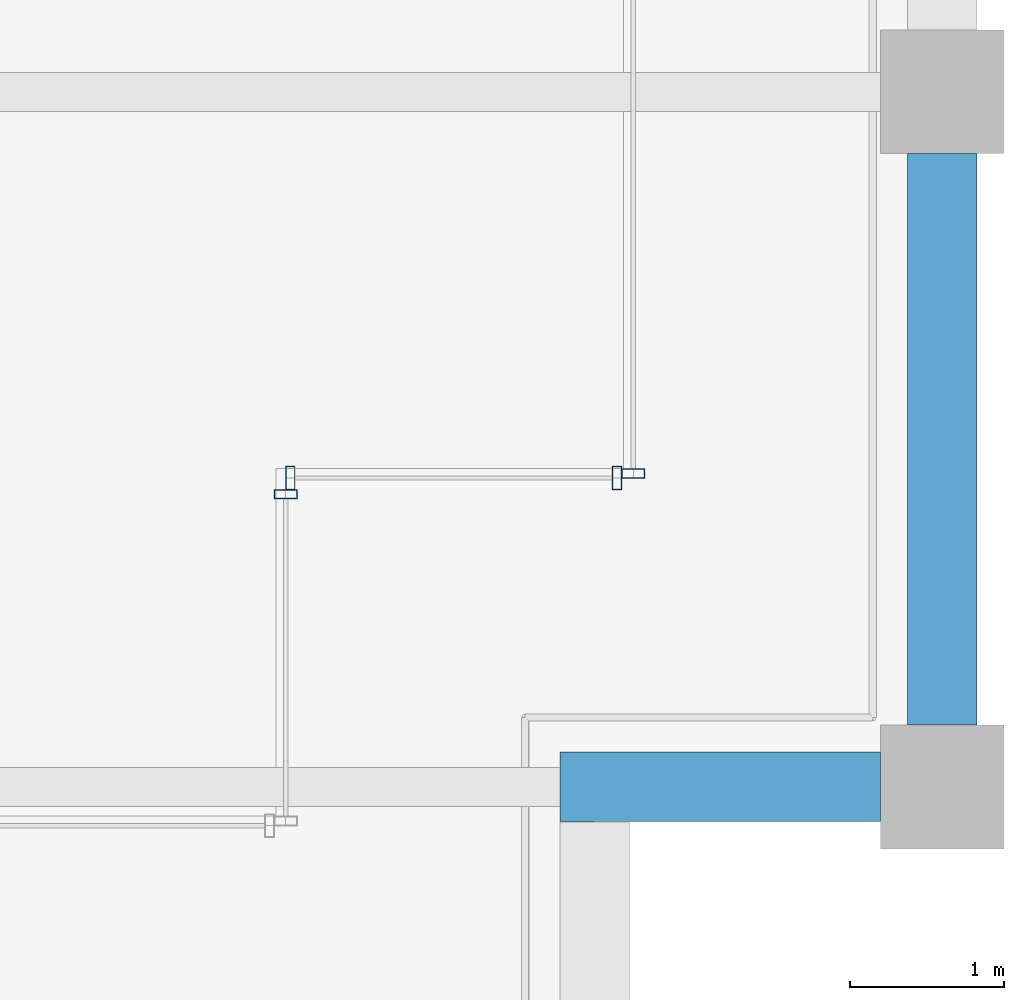
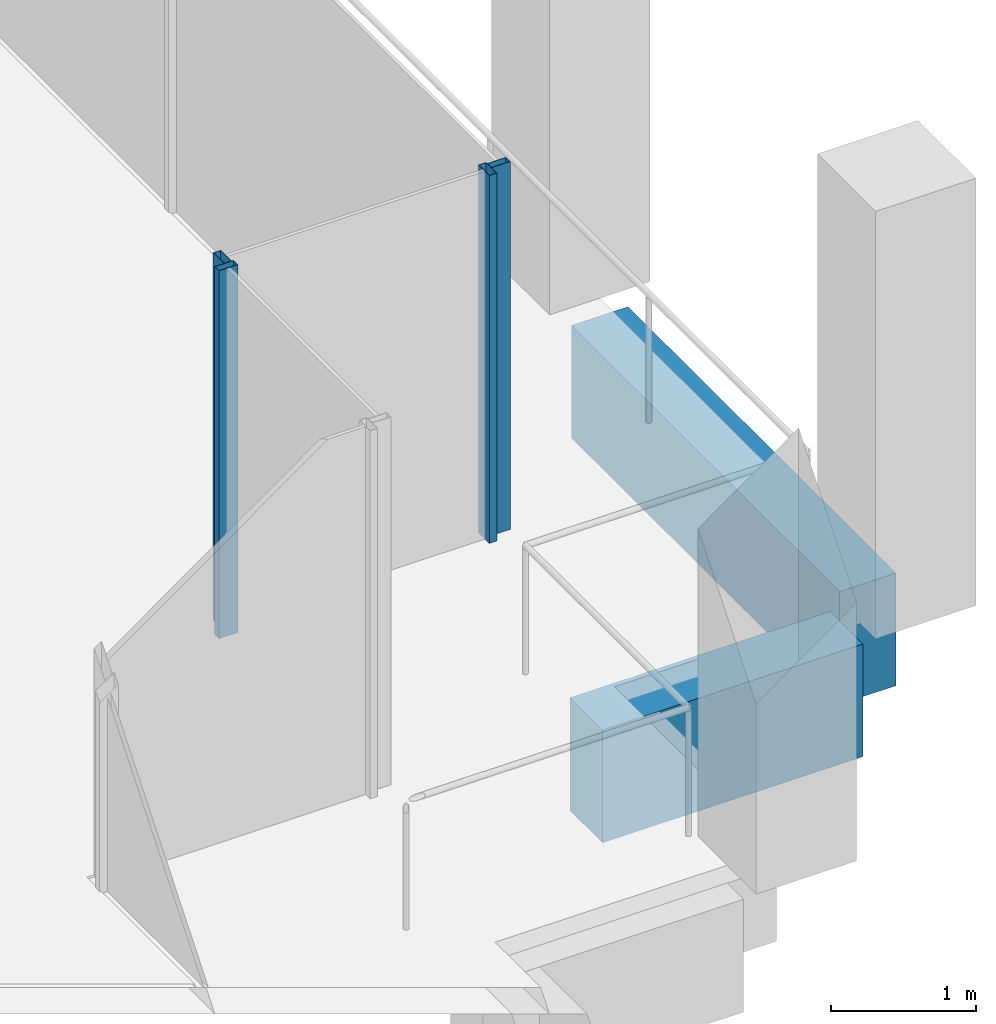
# One storey, part 13 of 30: 4 members, 2 beams, 3 elements without a shape of their own.
"""IFC4 building model written with IfcOpenShell, lengths in metres."""

from ifc_helpers import new_model, si_unit, direction, frame, origin, origin_2d, place, context, subcontext, project, spatial, rectangle, hollow_rectangle, extrude, material, material_profile, profile_set, type_object, element, aggregate, save


model = new_model("IFC4")

# Units and contexts
model_context = context("Model", 3, precision=1e-05, world=origin(), true_north=direction((0.0, 1.0)))
body_context = subcontext(model_context, "Body", "Model", "MODEL_VIEW")
ifc_project = project(units=[si_unit("LENGTHUNIT", "METRE"), si_unit("AREAUNIT", "SQUARE_METRE"), si_unit("VOLUMEUNIT", "CUBIC_METRE"), si_unit("PLANEANGLEUNIT", "RADIAN"), si_unit("MASSUNIT", "GRAM", prefix="KILO")], contexts=[model_context])

# Site, building, storey
site_placement = place(None, origin())
site = spatial("IfcSite", under=ifc_project, at=site_placement, CompositionType="ELEMENT")
building_placement = place(site_placement, origin())
building = spatial("IfcBuilding", under=site, at=building_placement, Name="Altepetl Exchange Towers", CompositionType="ELEMENT")
storey_placement = place(building_placement, frame((0.0, 0.0, 235.199951171875)))
storey = spatial("IfcBuildingStorey", under=building, at=storey_placement, Name="L60", CompositionType="ELEMENT", Elevation=235.199951171875)

# Curtain wall, member
ifc_material_1 = material(Name="Aluminium 6063-T6 glazing", Category="aluminium")
curtain_wall_type = type_object("IfcCurtainWallType", Name="Loggia glazing system", PredefinedType="NOTDEFINED", material=ifc_material_1)
curtain_wall_1_placement = place(storey_placement, origin())
curtain_wall_1 = element("IfcCurtainWall", 1, at=curtain_wall_1_placement, inside=storey, type_object=curtain_wall_type, Name="CW1 run", PredefinedType="NOTDEFINED")
ifc_material_2 = material(Name="Aluminium 6063-T6", Category="aluminium")
ifc_material_profile_1 = material_profile(ifc_material_2, hollow_rectangle(XDim=0.06005859375, YDim=0.14990234375, WallThickness=0.0029296875, at=origin_2d()), Name="Mullion 60x150 aluminium")
ifc_profile_set_1 = profile_set([ifc_material_profile_1], Name="Aluminium 6063-T6")
member_type = type_object("IfcMemberType", Name="Mullion 60x150 aluminium", PredefinedType="MULLION", material=ifc_profile_set_1)
member_1_placement = place(storey_placement, frame((67.75, 33.39501953125, 0.0), z_axis=(0.0, 0.0, 1.0), x_axis=(0.0, 1.0, 0.0)))
member_1 = element("IfcMember", 2, at=member_1_placement, type_object=member_type, Name="MU1 mullion", PredefinedType="MULLION", context=body_context, shape_type="SweptSolid", body=[
    extrude(hollow_rectangle(XDim=0.06005859375, YDim=0.14990234375, WallThickness=0.0029296875, at=origin_2d()), origin(), (0.0, 0.0, 1.0), 3.10009765625),
])
aggregate(curtain_wall_1, [member_1])

# Curtain wall, members
curtain_wall_2_placement = place(storey_placement, origin())
curtain_wall_2 = element("IfcCurtainWall", 3, at=curtain_wall_2_placement, inside=storey, type_object=curtain_wall_type, Name="CW1 run", PredefinedType="NOTDEFINED")
member_2_placement = place(storey_placement, frame((67.780029296875, 33.5, 0.0)))
member_2 = element("IfcMember", 4, at=member_2_placement, type_object=member_type, Name="MU1 mullion", PredefinedType="MULLION", context=body_context, shape_type="SweptSolid", body=[
    extrude(hollow_rectangle(XDim=0.06005859375, YDim=0.14990234375, WallThickness=0.0029296875, at=origin_2d()), origin(), (0.0, 0.0, 1.0), 3.10009765625),
])
member_3_placement = place(storey_placement, frame((69.89501953125, 33.5, 0.0)))
member_3 = element("IfcMember", 5, at=member_3_placement, type_object=member_type, Name="MU1 mullion", PredefinedType="MULLION", context=body_context, shape_type="SweptSolid", body=[
    extrude(hollow_rectangle(XDim=0.06005859375, YDim=0.14990234375, WallThickness=0.0029296875, at=origin_2d()), origin(), (0.0, 0.0, 1.0), 3.10009765625),
])
aggregate(curtain_wall_2, [member_2, member_3])

# Curtain wall, member
curtain_wall_3_placement = place(storey_placement, origin())
curtain_wall_3 = element("IfcCurtainWall", 6, at=curtain_wall_3_placement, inside=storey, type_object=curtain_wall_type, Name="CW1 run", PredefinedType="NOTDEFINED")
member_4_placement = place(storey_placement, frame((70.0, 33.530029296875, 0.0), z_axis=(0.0, 0.0, 1.0), x_axis=(0.0, 1.0, 0.0)))
member_4 = element("IfcMember", 7, at=member_4_placement, type_object=member_type, Name="MU1 mullion", PredefinedType="MULLION", context=body_context, shape_type="SweptSolid", body=[
    extrude(hollow_rectangle(XDim=0.06005859375, YDim=0.14990234375, WallThickness=0.0029296875, at=origin_2d()), origin(), (0.0, 0.0, 1.0), 3.10009765625),
])
aggregate(curtain_wall_3, [member_4])

# Beams
ifc_material_3 = material(Name="Concrete C50/60 precast with cantera amarilla facing", Category="concrete")
ifc_material_profile_2 = material_profile(ifc_material_3, rectangle(XDim=0.449951171875, YDim=0.949951171875, at=origin_2d()), Name="450 x 950")
ifc_profile_set_2 = profile_set([ifc_material_profile_2], Name="Concrete C50/60 precast with cantera amarilla facing")
beam_type = type_object("IfcBeamType", Name="Spandrel beam 450x950 cantera amarilla", PredefinedType="SPANDREL", material=ifc_profile_set_2)
beam_1_placement = place(storey_placement, frame((69.52490234375, 31.5, -0.625), z_axis=(1.0, 0.0, 0.0), x_axis=(0.0, 1.0, 0.0)))
element("IfcBeam", 8, at=beam_1_placement, inside=storey, type_object=beam_type, Name="sp:A:L60:011", PredefinedType="SPANDREL", context=body_context, shape_type="SweptSolid", body=[
    extrude(rectangle(XDim=0.449951171875, YDim=0.949951171875, at=origin_2d()), origin(), (0.0, 0.0, 1.0), 2.0751953125),
])
beam_2_placement = place(storey_placement, frame((72.0, 31.89990234375, -0.625), z_axis=(0.0, 1.0, 0.0), x_axis=(-1.0, 0.0, 0.0)))
element("IfcBeam", 9, at=beam_2_placement, inside=storey, type_object=beam_type, Name="sp:A:L60:012", PredefinedType="SPANDREL", context=body_context, shape_type="SweptSolid", body=[
    extrude(rectangle(XDim=0.449951171875, YDim=0.949951171875, at=origin_2d()), origin(), (0.0, 0.0, 1.0), 3.7001953125),
])

save(model, "model.ifc")
